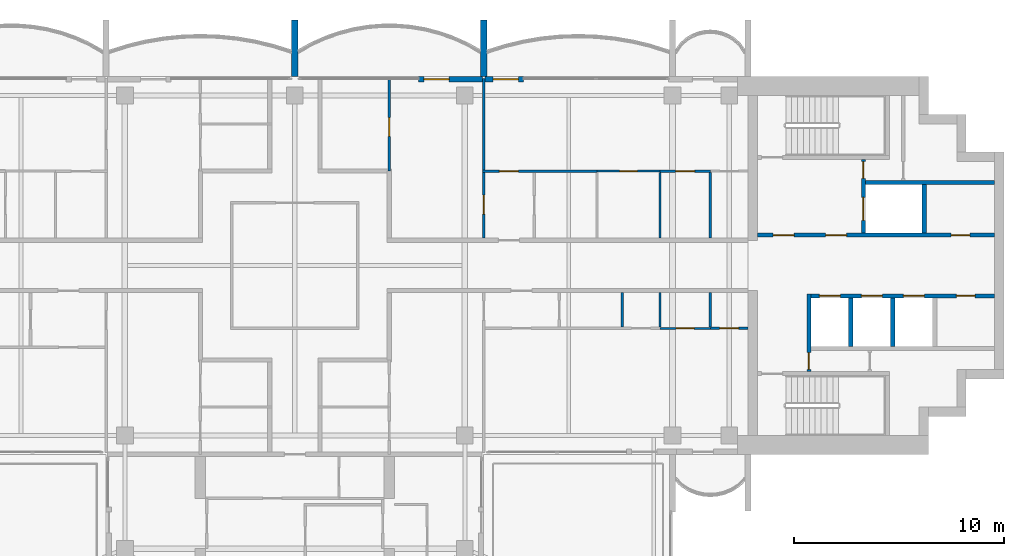
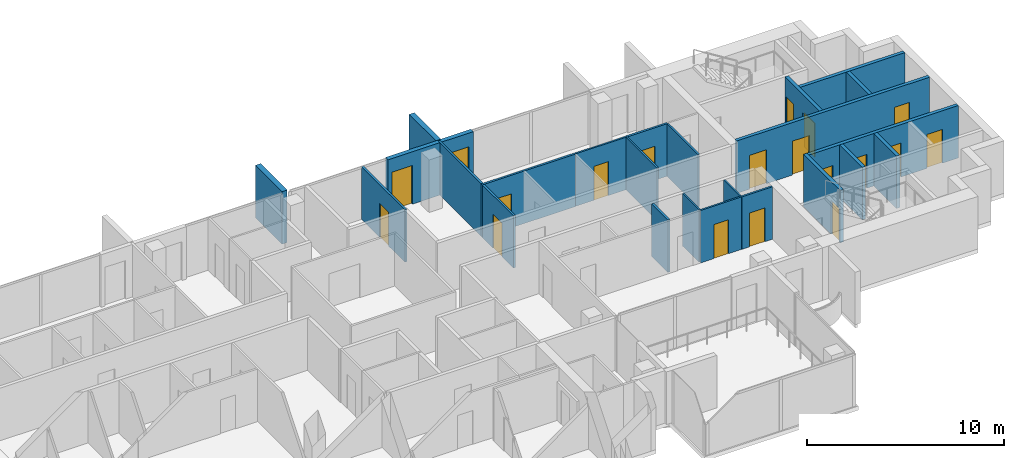
# One storey, part 11 of 16: 24 walls, 19 doors, 19 openings.
"""IFC4 building model written with IfcOpenShell, lengths in metres."""

import ifcopenshell
import ifcopenshell.guid

model = None  # the IFC model being written
_history = None  # IfcOwnerHistory: only IFC2X3 demands one
_inside = {}  # id of a spatial element -> (the spatial element, [elements in it])
_under = {}  # id of a project, library or spatial element -> (it, [spatial elements below it])
_declared = {}  # id of a project -> (the project, [libraries it declares])
_typed = {}  # id of a type object -> (the type object, [elements of that type])
_made_of = {}  # id of a material, layer set ... -> (it, [elements and type objects made of it])


def new_model(schema):
    """Start an empty IFC model of exactly this schema.

    Asked for "IFC4X3", IfcOpenShell would pick the latest addendum, in which some entities
    have other attributes; the version numbers below select the first issue.
    IFC2X3 requires an IfcOwnerHistory on every rooted entity: one is made here for all.
    """
    global model, _history
    if schema == "IFC4X3":
        model = ifcopenshell.file(schema_version=(4, 3, 0, 0))
    else:
        model = ifcopenshell.file(schema=schema)
    _inside.clear()
    _under.clear()
    _declared.clear()
    _typed.clear()
    _made_of.clear()
    _history = None
    if model.schema == "IFC2X3":
        org = make("IfcOrganization", Name="unknown")
        user = make(
            "IfcPersonAndOrganization",
            ThePerson=make("IfcPerson", FamilyName="unknown"),
            TheOrganization=org,
        )
        app = make(
            "IfcApplication",
            ApplicationDeveloper=org,
            Version="unknown",
            ApplicationFullName="unknown",
            ApplicationIdentifier="unknown",
        )
        _history = make(
            "IfcOwnerHistory",
            OwningUser=user,
            OwningApplication=app,
            ChangeAction="ADDED",
            CreationDate=0,
        )
    return model


def make(cls, **values):
    """One entity of the class cls with the attributes given. An attribute that is None is left unset."""
    return model.create_entity(
        cls, **{name: value for name, value in values.items() if value is not None}
    )


def rooted(cls, **values):
    """An entity with a GlobalId (a new one), such as an element, a storey or a relation."""
    return make(cls, GlobalId=ifcopenshell.guid.new(), OwnerHistory=_history, **values)


def si_unit(unit_type, name, prefix=None):
    """IfcSIUnit, for example si_unit("LENGTHUNIT", "METRE", prefix="MILLI")."""
    return make("IfcSIUnit", UnitType=unit_type, Prefix=prefix, Name=name)


def assignment(units):
    """IfcUnitAssignment: the units of a project."""
    return None if units is None else make("IfcUnitAssignment", Units=units)


def point(xyz):
    """IfcCartesianPoint."""
    return None if xyz is None else make("IfcCartesianPoint", Coordinates=xyz)


def direction(xyz):
    """IfcDirection."""
    return None if xyz is None else make("IfcDirection", DirectionRatios=xyz)


def frame(location, z_axis=None, x_axis=None):
    """IfcAxis2Placement3D, a coordinate frame: its origin and axes. An axis left out is left unset."""
    return make(
        "IfcAxis2Placement3D",
        Location=point(location),
        Axis=direction(z_axis),
        RefDirection=direction(x_axis),
    )


def frame_2d(location, x_axis=None):
    """IfcAxis2Placement2D, a coordinate frame in the plane: its origin and x axis."""
    return make(
        "IfcAxis2Placement2D", Location=point(location), RefDirection=direction(x_axis)
    )


def origin():
    """The frame at (0, 0, 0) with its axes left unset."""
    return frame((0.0, 0.0, 0.0))


def place(relative_to, where):
    """IfcLocalPlacement: puts the frame where relative to a parent placement (None: the world)."""
    return make(
        "IfcLocalPlacement", PlacementRelTo=relative_to, RelativePlacement=where
    )


def context(
    kind, dimensions, precision=None, world=None, true_north=None, identifier=None
):
    """IfcGeometricRepresentationContext, for example the 3D "Model" context."""
    return make(
        "IfcGeometricRepresentationContext",
        ContextIdentifier=identifier,
        ContextType=kind,
        CoordinateSpaceDimension=dimensions,
        Precision=precision,
        WorldCoordinateSystem=world,
        TrueNorth=true_north,
    )


def subcontext(parent, identifier, kind, view, scale=None):
    """IfcGeometricRepresentationSubContext, for example "Body" below "Model"."""
    return make(
        "IfcGeometricRepresentationSubContext",
        ContextIdentifier=identifier,
        ContextType=kind,
        ParentContext=parent,
        TargetScale=scale,
        TargetView=view,
    )


def project(units=None, contexts=None):
    """IfcProject with its units and contexts."""
    return rooted(
        "IfcProject",
        Name="project",
        RepresentationContexts=contexts,
        UnitsInContext=assignment(units),
    )


def spatial(cls, under=None, at=None, **own):
    """A site, building, storey or space (cls), placed at a placement, below another one or the project."""
    s = rooted(cls, ObjectPlacement=at, **own)
    if under is not None:
        _under.setdefault(under.id(), (under, []))[1].append(s)
    return s


def profile(cls, at=None, kind="AREA", **sizes):
    """A parametric profile (cls). Its sizes go by their IFC names, for example OverallWidth=200.0."""
    return make(cls, ProfileType=kind, Position=at, **sizes)


def rectangle(**sizes):
    """IfcRectangleProfileDef."""
    return profile("IfcRectangleProfileDef", **sizes)


def extrude(swept, where, along, depth):
    """IfcExtrudedAreaSolid: the profile swept, set in the frame where, extruded along a direction by depth."""
    return make(
        "IfcExtrudedAreaSolid",
        SweptArea=swept,
        Position=where,
        ExtrudedDirection=direction(along),
        Depth=depth,
    )


def shape(context_of_items, identifier, shape_type, items):
    """IfcShapeRepresentation: the items that make up one representation, for example the "Body"."""
    return make(
        "IfcShapeRepresentation",
        ContextOfItems=context_of_items,
        RepresentationIdentifier=identifier,
        RepresentationType=shape_type,
        Items=items,
    )


def material(Name=None, Category=None):
    """IfcMaterial."""
    return make("IfcMaterial", Name=Name, Category=Category)


def layer(
    of_material, thickness, ventilated=None, Name=None, Category=None, Priority=None
):
    """IfcMaterialLayer: one layer of a wall or slab, of a material (None: an air gap)."""
    return make(
        "IfcMaterialLayer",
        Material=of_material,
        LayerThickness=thickness,
        IsVentilated=ventilated,
        Name=Name,
        Category=Category,
        Priority=Priority,
    )


def layer_set(layers, Name=None):
    """IfcMaterialLayerSet."""
    return make("IfcMaterialLayerSet", MaterialLayers=layers, LayerSetName=Name)


def made_of(thing, what):
    """Note that an element or type object is made of a material, layer set ...; save() writes the relation."""
    if what is not None:
        _made_of.setdefault(what.id(), (what, []))[1].append(thing)
    return thing


def type_object(cls, material=None, **own):
    """A type object (cls), such as IfcWallType, which elements share."""
    return made_of(rooted(cls, **own), material)


def element(
    cls,
    number,
    at=None,
    inside=None,
    cuts=None,
    type_object=None,
    material=None,
    context=None,
    identifier="Body",
    shape_type=None,
    held_by="IfcProductDefinitionShape",
    body=None,
    shapes=None,
    **own,
):
    """One element of the class cls, such as IfcWall. Its Tag is "e" and its number.

    at: its placement. inside: the storey or other place that contains it. cuts: it is an
    opening in that element (IfcRelVoidsElement). A single representation is given by context,
    identifier, shape_type and body (its items); several are given by shapes. held_by: the class
    of the entity that holds the representations. save() writes the other relations.
    """
    e = rooted(cls, Tag="e%d" % number, ObjectPlacement=at, **own)
    if body is not None:
        shapes = [shape(context, identifier, shape_type, body)]
    if shapes is not None:
        e.Representation = make(held_by, Representations=shapes)
    if inside is not None:
        _inside.setdefault(inside.id(), (inside, []))[1].append(e)
    if cuts is not None:
        rooted(
            "IfcRelVoidsElement", RelatingBuildingElement=cuts, RelatedOpeningElement=e
        )
    if type_object is not None:
        _typed.setdefault(type_object.id(), (type_object, []))[1].append(e)
    return made_of(e, material)


def fill(opening, filler):
    """IfcRelFillsElement: the door or window that sits in an opening."""
    return rooted(
        "IfcRelFillsElement",
        RelatingOpeningElement=opening,
        RelatedBuildingElement=filler,
    )


def aggregate(whole, parts):
    """IfcRelAggregates: a whole, such as a stair, and the parts it consists of."""
    return rooted("IfcRelAggregates", RelatingObject=whole, RelatedObjects=parts)


def save(model, path):
    """Write the relations noted so far, then the file.

    IfcRelAggregates (storeys below a building ...), IfcRelContainedInSpatialStructure (elements
    in a storey), IfcRelDefinesByType, IfcRelAssociatesMaterial and IfcRelDeclares: one each for
    every whole, place, type object, material and project.
    """
    for whole, parts in _under.values():
        aggregate(whole, parts)
    for where, things in _inside.values():
        rooted(
            "IfcRelContainedInSpatialStructure",
            RelatedElements=things,
            RelatingStructure=where,
        )
    for kind, things in _typed.values():
        rooted("IfcRelDefinesByType", RelatedObjects=things, RelatingType=kind)
    for what, things in _made_of.values():
        rooted("IfcRelAssociatesMaterial", RelatedObjects=things, RelatingMaterial=what)
    for by, libraries in _declared.values():
        rooted("IfcRelDeclares", RelatingContext=by, RelatedDefinitions=libraries)
    model.write(path)


model = new_model("IFC4")

# Units and contexts
model_context = context("Model", 3, precision=1e-05, world=origin(), true_north=direction((0.0, 1.0)))
body_context = subcontext(model_context, "Body", "Model", "MODEL_VIEW")
ifc_project = project(units=[si_unit("LENGTHUNIT", "METRE"), si_unit("AREAUNIT", "SQUARE_METRE"), si_unit("VOLUMEUNIT", "CUBIC_METRE"), si_unit("PLANEANGLEUNIT", "RADIAN"), si_unit("MASSUNIT", "GRAM", prefix="KILO")], contexts=[model_context])

# Site, building, storey
site_placement = place(None, origin())
site = spatial("IfcSite", under=ifc_project, at=site_placement, CompositionType="ELEMENT")
building_placement = place(site_placement, origin())
building = spatial("IfcBuilding", under=site, at=building_placement, Name="Perihelion Cross Residences", CompositionType="ELEMENT")
storey_placement = place(building_placement, frame((0.0, 0.0, 236.0)))
storey = spatial("IfcBuildingStorey", under=building, at=storey_placement, Name="L59", CompositionType="ELEMENT", Elevation=236.0)

# Wall, opening, door
ifc_material_1 = material(Name="Concrete C30/37, bronze-clad", Category="concrete")
ifc_layer_1 = layer(ifc_material_1, 0.25)
ifc_layer_set_1 = layer_set([ifc_layer_1], Name="Bronze-clad pier wall 250")
wall_type_1 = type_object("IfcWallType", Name="Bronze-clad pier wall 250", PredefinedType="SOLIDWALL", material=ifc_layer_set_1)
wall_1_placement = place(storey_placement, frame((10.89990234375, 8.875, 0.0), z_axis=(0.0, 0.0, 1.0), x_axis=(-1.0, 0.0, 0.0)))
wall_1 = element("IfcWall", 1, at=wall_1_placement, inside=storey, type_object=wall_type_1, Name="Wall FW1 L59 east side north bay 2 pier", PredefinedType="SOLIDWALL", context=body_context, shape_type="SweptSolid", body=[
    extrude(rectangle(XDim=1.83984375, YDim=0.25, at=frame_2d((0.919921875, 0.0))), origin(), (0.0, 0.0, 1.0), 3.25),
])
opening_1_placement = place(wall_1_placement, frame((0.25, 0.0, 0.0)))
opening_1 = element("IfcOpeningElement", 2, at=opening_1_placement, cuts=wall_1, Name="Opening L59.E02", PredefinedType="OPENING", context=body_context, shape_type="SweptSolid", body=[
    extrude(rectangle(XDim=1.199951171875, YDim=2.39990234375, at=frame_2d((0.60009765625, 1.199951171875))), frame((0.0, 0.135009765625, 0.0), z_axis=(0.0, -1.0, 0.0), x_axis=(1.0, 0.0, 0.0)), (0.0, 0.0, 1.0), 0.27001953125),
])
ifc_material_2 = material(Name="Bronze anodised aluminium, glazed", Category="aluminium")
door_type_1 = type_object("IfcDoorType", Name="Balcony door 1200 x 2400", OperationType="NOTDEFINED", PredefinedType="DOOR", material=ifc_material_2)
door_1_placement = place(opening_1_placement, origin())
door_1 = element("IfcDoor", 3, at=door_1_placement, inside=storey, type_object=door_type_1, Name="Door L59.E02 east side north bay 2", OperationType="SINGLE_SWING_RIGHT", OverallHeight=2.39990234375, OverallWidth=1.199951171875, PredefinedType="DOOR", context=body_context, shape_type="SweptSolid", body=[
    extrude(rectangle(XDim=1.199951171875, YDim=2.39990234375, at=frame_2d((0.60009765625, 1.199951171875))), frame((0.0, 0.02490234375, 0.0), z_axis=(0.0, -1.0, 0.0), x_axis=(1.0, 0.0, 0.0)), (0.0, 0.0, 1.0), 0.050048828125),
])
fill(opening_1, door_1)

wall_2_placement = place(storey_placement, frame((8.93994140625, 8.875, 0.0), z_axis=(0.0, 0.0, 1.0), x_axis=(-1.0, 0.0, 0.0)))
wall_2 = element("IfcWall", 4, at=wall_2_placement, inside=storey, type_object=wall_type_1, Name="Wall FW1 L59 north side east bay 1 pier", PredefinedType="SOLIDWALL", context=body_context, shape_type="SweptSolid", body=[
    extrude(rectangle(XDim=3.0400390625, YDim=0.25, at=frame_2d((1.52001953125, 0.0))), origin(), (0.0, 0.0, 1.0), 3.25),
])
opening_2_placement = place(wall_2_placement, frame((1.590087890625, 0.0, 0.0)))
opening_2 = element("IfcOpeningElement", 5, at=opening_2_placement, cuts=wall_2, Name="Opening L59.E03", PredefinedType="OPENING", context=body_context, shape_type="SweptSolid", body=[
    extrude(rectangle(XDim=1.199951171875, YDim=2.39990234375, at=frame_2d((0.60009765625, 1.199951171875))), frame((0.0, 0.135009765625, 0.0), z_axis=(0.0, -1.0, 0.0), x_axis=(1.0, 0.0, 0.0)), (0.0, 0.0, 1.0), 0.27001953125),
])
door_2_placement = place(opening_2_placement, origin())
door_2 = element("IfcDoor", 6, at=door_2_placement, inside=storey, type_object=door_type_1, Name="Door L59.E03 north side east bay 1", OperationType="SINGLE_SWING_LEFT", OverallHeight=2.39990234375, OverallWidth=1.199951171875, PredefinedType="DOOR", context=body_context, shape_type="SweptSolid", body=[
    extrude(rectangle(XDim=1.199951171875, YDim=2.39990234375, at=frame_2d((0.60009765625, 1.199951171875))), frame((0.0, 0.02490234375, 0.0), z_axis=(0.0, -1.0, 0.0), x_axis=(1.0, 0.0, 0.0)), (0.0, 0.0, 1.0), 0.050048828125),
])
fill(opening_2, door_2)

ifc_material_3 = material(Name="Concrete C50/60", Category="concrete")
ifc_layer_2 = layer(ifc_material_3, 0.199951171875)
ifc_layer_set_2 = layer_set([ifc_layer_2], Name="Lobby wall 200")
wall_type_2 = type_object("IfcWallType", Name="Lobby wall 200", PredefinedType="SOLIDWALL", material=ifc_layer_set_2)
wall_3_placement = place(storey_placement, frame((24.5, -5.050048828125, 0.0), z_axis=(0.0, 0.0, 1.0), x_axis=(0.0, 1.0, 0.0)))
wall_3 = element("IfcWall", 7, at=wall_3_placement, inside=storey, type_object=wall_type_2, Name="East core lobby wall", PredefinedType="SOLIDWALL", context=body_context, shape_type="SweptSolid", body=[
    extrude(rectangle(XDim=3.699951171875, YDim=0.199951171875, at=frame_2d((1.85009765625, 0.0))), origin(), (0.0, 0.0, 1.0), 3.25),
])
opening_3_placement = place(wall_3_placement, frame((0.10009765625, 0.0, 0.0)))
opening_3 = element("IfcOpeningElement", 8, at=opening_3_placement, cuts=wall_3, Name="Opening L59.C08", PredefinedType="OPENING", context=body_context, shape_type="SweptSolid", body=[
    extrude(rectangle(XDim=0.800048828125, YDim=2.10009765625, at=frame_2d((0.39990234375, 1.050048828125))), frame((0.0, 0.10986328125, 0.0), z_axis=(0.0, -1.0, 0.0), x_axis=(1.0, 0.0, 0.0)), (0.0, 0.0, 1.0), 0.219970703125),
])
ifc_material_4 = material(Name="Steel, powder coated", Category="steel")
door_type_2 = type_object("IfcDoorType", Name="Riser door 800", OperationType="SINGLE_SWING_LEFT", PredefinedType="DOOR", material=ifc_material_4)
door_3_placement = place(opening_3_placement, origin())
door_3 = element("IfcDoor", 9, at=door_3_placement, inside=storey, type_object=door_type_2, Name="East core riser door", OperationType="SINGLE_SWING_LEFT", OverallHeight=2.10009765625, OverallWidth=0.800048828125, PredefinedType="DOOR", context=body_context, shape_type="SweptSolid", body=[
    extrude(rectangle(XDim=0.800048828125, YDim=2.10009765625, at=frame_2d((0.39990234375, 1.050048828125))), frame((0.0, 0.02490234375, 0.0), z_axis=(0.0, -1.0, 0.0), x_axis=(1.0, 0.0, 0.0)), (0.0, 0.0, 1.0), 0.050048828125),
])
fill(opening_3, door_3)

ifc_material_5 = material(Name="Plasterboard partition")
ifc_layer_3 = layer(ifc_material_5, 0.1201171875)
ifc_layer_set_3 = layer_set([ifc_layer_3], Name="Partition wall 120")
wall_type_3 = type_object("IfcWallType", Name="Partition wall 120", PredefinedType="PARTITIONING", material=ifc_layer_set_3)
wall_4_placement = place(storey_placement, frame((8.93994140625, 4.5, 0.0), z_axis=(0.0, 0.0, 1.0), x_axis=(1.0, 0.0, 0.0)))
wall_4 = element("IfcWall", 10, at=wall_4_placement, inside=storey, type_object=wall_type_3, Name="Partition L59 W023", PredefinedType="PARTITIONING", context=body_context, shape_type="SweptSolid", body=[
    extrude(rectangle(XDim=5.4599609375, YDim=0.1201171875, at=frame_2d((2.72998046875, 0.0))), origin(), (0.0, 0.0, 1.0), 3.25),
])
opening_4_placement = place(wall_4_placement, frame((0.81005859375, 0.0, 0.0)))
opening_4 = element("IfcOpeningElement", 11, at=opening_4_placement, cuts=wall_4, Name="Opening L59.A06", PredefinedType="OPENING", context=body_context, shape_type="SweptSolid", body=[
    extrude(rectangle(XDim=0.89990234375, YDim=2.10009765625, at=frame_2d((0.449951171875, 1.050048828125))), frame((0.0, 0.070068359375, 0.0), z_axis=(0.0, -1.0, 0.0), x_axis=(1.0, 0.0, 0.0)), (0.0, 0.0, 1.0), 0.14013671875),
])
ifc_material_6 = material(Name="Timber door leaf", Category="wood")
door_type_3 = type_object("IfcDoorType", Name="Interior room door 900 x 2100", OperationType="SINGLE_SWING_LEFT", PredefinedType="DOOR", material=ifc_material_6)
door_4_placement = place(opening_4_placement, origin())
door_4 = element("IfcDoor", 12, at=door_4_placement, inside=storey, type_object=door_type_3, Name="Door L59.A06", OperationType="SINGLE_SWING_RIGHT", OverallHeight=2.10009765625, OverallWidth=0.89990234375, PredefinedType="DOOR", context=body_context, shape_type="SweptSolid", body=[
    extrude(rectangle(XDim=0.89990234375, YDim=2.10009765625, at=frame_2d((0.449951171875, 1.050048828125))), frame((0.0, 0.02490234375, 0.0), z_axis=(0.0, -1.0, 0.0), x_axis=(1.0, 0.0, 0.0)), (0.0, 0.0, 1.0), 0.050048828125),
])
fill(opening_4, door_4)

wall_5_placement = place(storey_placement, frame((9.0, 1.300048828125, 0.0), z_axis=(0.0, 0.0, 1.0), x_axis=(0.0, 1.0, 0.0)))
wall_5 = element("IfcWall", 13, at=wall_5_placement, inside=storey, type_object=wall_type_3, Name="Partition L59 W024", PredefinedType="PARTITIONING", context=body_context, shape_type="SweptSolid", body=[
    extrude(rectangle(XDim=7.619873046875, YDim=0.1201171875, at=frame_2d((3.81005859375, 0.0))), origin(), (0.0, 0.0, 1.0), 3.25),
])
opening_5_placement = place(wall_5_placement, frame((1.14990234375, 0.0, 0.0)))
opening_5 = element("IfcOpeningElement", 14, at=opening_5_placement, cuts=wall_5, Name="Opening L59.A07", PredefinedType="OPENING", context=body_context, shape_type="SweptSolid", body=[
    extrude(rectangle(XDim=0.89990234375, YDim=2.10009765625, at=frame_2d((0.449951171875, 1.050048828125))), frame((0.0, 0.070068359375, 0.0), z_axis=(0.0, -1.0, 0.0), x_axis=(1.0, 0.0, 0.0)), (0.0, 0.0, 1.0), 0.14013671875),
])
door_5_placement = place(opening_5_placement, origin())
door_5 = element("IfcDoor", 15, at=door_5_placement, inside=storey, type_object=door_type_3, Name="Door L59.A07", OperationType="SINGLE_SWING_LEFT", OverallHeight=2.10009765625, OverallWidth=0.89990234375, PredefinedType="DOOR", context=body_context, shape_type="SweptSolid", body=[
    extrude(rectangle(XDim=0.89990234375, YDim=2.10009765625, at=frame_2d((0.449951171875, 1.050048828125))), frame((0.0, 0.02490234375, 0.0), z_axis=(0.0, -1.0, 0.0), x_axis=(1.0, 0.0, 0.0)), (0.0, 0.0, 1.0), 0.050048828125),
])
fill(opening_5, door_5)

wall_6_placement = place(storey_placement, frame((17.39990234375, 4.5, 0.0), z_axis=(0.0, 0.0, 1.0), x_axis=(1.0, 0.0, 0.0)))
wall_6 = element("IfcWall", 16, at=wall_6_placement, inside=storey, type_object=wall_type_3, Name="Partition L59 W029", PredefinedType="PARTITIONING", context=body_context, shape_type="SweptSolid", body=[
    extrude(rectangle(XDim=2.400146484375, YDim=0.1201171875, at=frame_2d((1.2001953125, 0.0))), origin(), (0.0, 0.0, 1.0), 3.25),
])
opening_6_placement = place(wall_6_placement, frame((0.75, 0.0, 0.0)))
opening_6 = element("IfcOpeningElement", 17, at=opening_6_placement, cuts=wall_6, Name="Opening L59.A08", PredefinedType="OPENING", context=body_context, shape_type="SweptSolid", body=[
    extrude(rectangle(XDim=0.89990234375, YDim=2.10009765625, at=frame_2d((0.449951171875, 1.050048828125))), frame((0.0, 0.070068359375, 0.0), z_axis=(0.0, -1.0, 0.0), x_axis=(1.0, 0.0, 0.0)), (0.0, 0.0, 1.0), 0.14013671875),
])
door_6_placement = place(opening_6_placement, origin())
door_6 = element("IfcDoor", 18, at=door_6_placement, inside=storey, type_object=door_type_3, Name="Door L59.A08", OperationType="SINGLE_SWING_LEFT", OverallHeight=2.10009765625, OverallWidth=0.89990234375, PredefinedType="DOOR", context=body_context, shape_type="SweptSolid", body=[
    extrude(rectangle(XDim=0.89990234375, YDim=2.10009765625, at=frame_2d((0.449951171875, 1.050048828125))), frame((0.0, 0.02490234375, 0.0), z_axis=(0.0, -1.0, 0.0), x_axis=(1.0, 0.0, 0.0)), (0.0, 0.0, 1.0), 0.050048828125),
])
fill(opening_6, door_6)

wall_7_placement = place(storey_placement, frame((4.5, 4.5, 0.0), z_axis=(0.0, 0.0, 1.0), x_axis=(0.0, 1.0, 0.0)))
wall_7 = element("IfcWall", 19, at=wall_7_placement, inside=storey, type_object=wall_type_3, Name="Partition L59 W031", PredefinedType="PARTITIONING", context=body_context, shape_type="SweptSolid", body=[
    extrude(rectangle(XDim=4.419921875, YDim=0.1201171875, at=frame_2d((2.2099609375, 0.0))), origin(), (0.0, 0.0, 1.0), 3.25),
])
opening_7_placement = place(wall_7_placement, frame((1.64990234375, 0.0, 0.0)))
opening_7 = element("IfcOpeningElement", 20, at=opening_7_placement, cuts=wall_7, Name="Opening L59.A03", PredefinedType="OPENING", context=body_context, shape_type="SweptSolid", body=[
    extrude(rectangle(XDim=0.89990234375, YDim=2.10009765625, at=frame_2d((0.449951171875, 1.050048828125))), frame((0.0, 0.070068359375, 0.0), z_axis=(0.0, -1.0, 0.0), x_axis=(1.0, 0.0, 0.0)), (0.0, 0.0, 1.0), 0.14013671875),
])
door_7_placement = place(opening_7_placement, origin())
door_7 = element("IfcDoor", 21, at=door_7_placement, inside=storey, type_object=door_type_3, Name="Door L59.A03", OperationType="SINGLE_SWING_LEFT", OverallHeight=2.10009765625, OverallWidth=0.89990234375, PredefinedType="DOOR", context=body_context, shape_type="SweptSolid", body=[
    extrude(rectangle(XDim=0.89990234375, YDim=2.10009765625, at=frame_2d((0.449951171875, 1.050048828125))), frame((0.0, 0.02490234375, 0.0), z_axis=(0.0, -1.0, 0.0), x_axis=(1.0, 0.0, 0.0)), (0.0, 0.0, 1.0), 0.050048828125),
])
fill(opening_7, door_7)

# Wall
wall_8_placement = place(storey_placement, frame((15.60009765625, -1.300048828125, 0.0), z_axis=(0.0, 0.0, 1.0), x_axis=(0.0, -1.0, 0.0)))
element("IfcWall", 22, at=wall_8_placement, inside=storey, type_object=wall_type_3, Name="Partition L59 W035", PredefinedType="PARTITIONING", context=body_context, shape_type="SweptSolid", body=[
    extrude(rectangle(XDim=1.639892578125, YDim=0.1201171875, at=frame_2d((0.81982421875, 0.0))), origin(), (0.0, 0.0, 1.0), 3.25),
])

# Wall, opening, door
wall_9_placement = place(storey_placement, frame((21.60009765625, -3.0, 0.0), z_axis=(0.0, 0.0, 1.0), x_axis=(-1.0, 0.0, 0.0)))
wall_9 = element("IfcWall", 23, at=wall_9_placement, inside=storey, type_object=wall_type_3, Name="Partition L59 W039", PredefinedType="PARTITIONING", context=body_context, shape_type="SweptSolid", body=[
    extrude(rectangle(XDim=1.800048828125, YDim=0.1201171875, at=frame_2d((0.89990234375, 0.0))), origin(), (0.0, 0.0, 1.0), 3.25),
])
opening_8_placement = place(wall_9_placement, frame((0.449951171875, 0.0, 0.0)))
opening_8 = element("IfcOpeningElement", 24, at=opening_8_placement, cuts=wall_9, Name="Opening L59.A10", PredefinedType="OPENING", context=body_context, shape_type="SweptSolid", body=[
    extrude(rectangle(XDim=0.89990234375, YDim=2.10009765625, at=frame_2d((0.449951171875, 1.050048828125))), frame((0.0, 0.070068359375, 0.0), z_axis=(0.0, -1.0, 0.0), x_axis=(1.0, 0.0, 0.0)), (0.0, 0.0, 1.0), 0.14013671875),
])
door_8_placement = place(opening_8_placement, origin())
door_8 = element("IfcDoor", 25, at=door_8_placement, inside=storey, type_object=door_type_3, Name="Door L59.A10", OperationType="SINGLE_SWING_LEFT", OverallHeight=2.10009765625, OverallWidth=0.89990234375, PredefinedType="DOOR", context=body_context, shape_type="SweptSolid", body=[
    extrude(rectangle(XDim=0.89990234375, YDim=2.10009765625, at=frame_2d((0.449951171875, 1.050048828125))), frame((0.0, 0.02490234375, 0.0), z_axis=(0.0, -1.0, 0.0), x_axis=(1.0, 0.0, 0.0)), (0.0, 0.0, 1.0), 0.050048828125),
])
fill(opening_8, door_8)

# Walls
ifc_material_7 = material(Name="Precast concrete C50/60", Category="concrete")
ifc_layer_4 = layer(ifc_material_7, 0.300048828125)
ifc_layer_set_4 = layer_set([ifc_layer_4], Name="Precast concrete C50/60 blade wall 300")
wall_type_4 = type_object("IfcWallType", Name="Precast concrete C50/60 blade wall 300", PredefinedType="SOLIDWALL", material=ifc_layer_set_4)
for number, where, z_axis, x_axis, name in (
    (26, (0.0, 9.0, 0.0), (0.0, 0.0, 1.0), (0.0, 1.0, 0.0), "Wall BL1 L59 no. 9"),
    (27, (9.0, 9.0, 0.0), (0.0, 0.0, 1.0), (0.0, 1.0, 0.0), "Wall BL1 L59 no. 16"),
):
    element("IfcWall", number, at=place(storey_placement, frame(where, z_axis=z_axis, x_axis=x_axis)), inside=storey, type_object=wall_type_4, Name=name, PredefinedType="SOLIDWALL", context=body_context, shape_type="SweptSolid", body=[
        extrude(rectangle(XDim=2.699951171875, YDim=0.300048828125, at=frame_2d((1.35009765625, 0.0))), origin(), (0.0, 0.0, 1.0), 3.25),
    ])

# Wall, openings, doors
ifc_material_8 = material(Name="Concrete C50/60", Category="concrete")
ifc_layer_5 = layer(ifc_material_8, 0.199951171875)
ifc_layer_set_5 = layer_set([ifc_layer_5], Name="Shaft wall 200")
wall_type_5 = type_object("IfcWallType", Name="Shaft wall 200", PredefinedType="SOLIDWALL", material=ifc_layer_set_5)
wall_10_placement = place(storey_placement, frame((22.050048828125, 1.449951171875, 0.0), z_axis=(0.0, 0.0, 1.0), x_axis=(1.0, 0.0, 0.0)))
wall_10 = element("IfcWall", 28, at=wall_10_placement, inside=storey, type_object=wall_type_5, Name="East core shaft wall", PredefinedType="SOLIDWALL", context=body_context, shape_type="SweptSolid", body=[
    extrude(rectangle(XDim=11.300048828125, YDim=0.199951171875, at=frame_2d((5.64990234375, 0.0))), origin(), (0.0, 0.0, 1.0), 3.25),
])
opening_9_placement = place(wall_10_placement, frame((0.75, 0.0, 0.0)))
opening_9 = element("IfcOpeningElement", 29, at=opening_9_placement, cuts=wall_10, Name="Opening L59.C07", PredefinedType="OPENING", context=body_context, shape_type="SweptSolid", body=[
    extrude(rectangle(XDim=1.0, YDim=2.10009765625, at=frame_2d((0.5, 1.050048828125))), frame((0.0, 0.10986328125, 0.0), z_axis=(0.0, -1.0, 0.0), x_axis=(1.0, 0.0, 0.0)), (0.0, 0.0, 1.0), 0.219970703125),
])
opening_10_placement = place(wall_10_placement, frame((3.25, 0.0, 0.0)))
opening_10 = element("IfcOpeningElement", 30, at=opening_10_placement, cuts=wall_10, Name="Opening L59.C09", PredefinedType="OPENING", context=body_context, shape_type="SweptSolid", body=[
    extrude(rectangle(XDim=1.0, YDim=2.10009765625, at=frame_2d((0.5, 1.050048828125))), frame((0.0, 0.10986328125, 0.0), z_axis=(0.0, -1.0, 0.0), x_axis=(1.0, 0.0, 0.0)), (0.0, 0.0, 1.0), 0.219970703125),
])
opening_11_placement = place(wall_10_placement, frame((9.22509765625, 0.0, 0.0)))
opening_11 = element("IfcOpeningElement", 31, at=opening_11_placement, cuts=wall_10, Name="Opening L59.C13", PredefinedType="OPENING", context=body_context, shape_type="SweptSolid", body=[
    extrude(rectangle(XDim=0.89990234375, YDim=2.10009765625, at=frame_2d((0.449951171875, 1.050048828125))), frame((0.0, 0.10986328125, 0.0), z_axis=(0.0, -1.0, 0.0), x_axis=(1.0, 0.0, 0.0)), (0.0, 0.0, 1.0), 0.219970703125),
])
ifc_material_9 = material(Name="Steel, powder coated", Category="steel")
door_type_4 = type_object("IfcDoorType", Name="Lobby door 1000", OperationType="SINGLE_SWING_LEFT", PredefinedType="DOOR", material=ifc_material_9)
door_9_placement = place(opening_9_placement, origin())
door_9 = element("IfcDoor", 32, at=door_9_placement, inside=storey, type_object=door_type_4, Name="East core firefighting lobby door", OperationType="SINGLE_SWING_LEFT", OverallHeight=2.10009765625, OverallWidth=1.0, PredefinedType="DOOR", context=body_context, shape_type="SweptSolid", body=[
    extrude(rectangle(XDim=1.0, YDim=2.10009765625, at=frame_2d((0.5, 1.050048828125))), frame((0.0, 0.02490234375, 0.0), z_axis=(0.0, -1.0, 0.0), x_axis=(1.0, 0.0, 0.0)), (0.0, 0.0, 1.0), 0.050048828125),
])
fill(opening_9, door_9)
door_10_placement = place(opening_10_placement, origin())
door_10 = element("IfcDoor", 33, at=door_10_placement, inside=storey, type_object=door_type_4, Name="East core firefighting lobby door", OperationType="SINGLE_SWING_LEFT", OverallHeight=2.10009765625, OverallWidth=1.0, PredefinedType="DOOR", context=body_context, shape_type="SweptSolid", body=[
    extrude(rectangle(XDim=1.0, YDim=2.10009765625, at=frame_2d((0.5, 1.050048828125))), frame((0.0, 0.02490234375, 0.0), z_axis=(0.0, -1.0, 0.0), x_axis=(1.0, 0.0, 0.0)), (0.0, 0.0, 1.0), 0.050048828125),
])
fill(opening_10, door_10)
ifc_material_10 = material(Name="Steel, powder coated", Category="steel")
door_type_5 = type_object("IfcDoorType", Name="Service room door 900", OperationType="SINGLE_SWING_LEFT", PredefinedType="DOOR", material=ifc_material_10)
door_11_placement = place(opening_11_placement, origin())
door_11 = element("IfcDoor", 34, at=door_11_placement, inside=storey, type_object=door_type_5, Name="East core service room door", OperationType="SINGLE_SWING_LEFT", OverallHeight=2.10009765625, OverallWidth=0.89990234375, PredefinedType="DOOR", context=body_context, shape_type="SweptSolid", body=[
    extrude(rectangle(XDim=0.89990234375, YDim=2.10009765625, at=frame_2d((0.449951171875, 1.050048828125))), frame((0.0, 0.02490234375, 0.0), z_axis=(0.0, -1.0, 0.0), x_axis=(1.0, 0.0, 0.0)), (0.0, 0.0, 1.0), 0.050048828125),
])
fill(opening_11, door_11)

wall_11_placement = place(storey_placement, frame((24.60009765625, -1.449951171875, 0.0), z_axis=(0.0, 0.0, 1.0), x_axis=(1.0, 0.0, 0.0)))
wall_11 = element("IfcWall", 35, at=wall_11_placement, inside=storey, type_object=wall_type_5, Name="East core shaft wall", PredefinedType="SOLIDWALL", context=body_context, shape_type="SweptSolid", body=[
    extrude(rectangle(XDim=8.75, YDim=0.199951171875, at=frame_2d((4.375, 0.0))), origin(), (0.0, 0.0, 1.0), 3.25),
])
opening_12_placement = place(wall_11_placement, frame((0.39990234375, 0.0, 0.0)))
opening_12 = element("IfcOpeningElement", 36, at=opening_12_placement, cuts=wall_11, Name="Opening L59.C01", PredefinedType="OPENING", context=body_context, shape_type="SweptSolid", body=[
    extrude(rectangle(XDim=1.0, YDim=2.10009765625, at=frame_2d((0.5, 1.050048828125))), frame((0.0, 0.10986328125, 0.0), z_axis=(0.0, -1.0, 0.0), x_axis=(1.0, 0.0, 0.0)), (0.0, 0.0, 1.0), 0.219970703125),
])
opening_13_placement = place(wall_11_placement, frame((2.39990234375, 0.0, 0.0)))
opening_13 = element("IfcOpeningElement", 37, at=opening_13_placement, cuts=wall_11, Name="Opening L59.C03", PredefinedType="OPENING", context=body_context, shape_type="SweptSolid", body=[
    extrude(rectangle(XDim=1.0, YDim=2.10009765625, at=frame_2d((0.5, 1.050048828125))), frame((0.0, 0.10986328125, 0.0), z_axis=(0.0, -1.0, 0.0), x_axis=(1.0, 0.0, 0.0)), (0.0, 0.0, 1.0), 0.219970703125),
])
opening_14_placement = place(wall_11_placement, frame((4.39990234375, 0.0, 0.0)))
opening_14 = element("IfcOpeningElement", 38, at=opening_14_placement, cuts=wall_11, Name="Opening L59.C04", PredefinedType="OPENING", context=body_context, shape_type="SweptSolid", body=[
    extrude(rectangle(XDim=1.0, YDim=2.10009765625, at=frame_2d((0.5, 1.050048828125))), frame((0.0, 0.10986328125, 0.0), z_axis=(0.0, -1.0, 0.0), x_axis=(1.0, 0.0, 0.0)), (0.0, 0.0, 1.0), 0.219970703125),
])
opening_15_placement = place(wall_11_placement, frame((6.925048828125, 0.0, 0.0)))
opening_15 = element("IfcOpeningElement", 39, at=opening_15_placement, cuts=wall_11, Name="Opening L59.C14", PredefinedType="OPENING", context=body_context, shape_type="SweptSolid", body=[
    extrude(rectangle(XDim=0.89990234375, YDim=2.10009765625, at=frame_2d((0.449951171875, 1.050048828125))), frame((0.0, 0.10986328125, 0.0), z_axis=(0.0, -1.0, 0.0), x_axis=(1.0, 0.0, 0.0)), (0.0, 0.0, 1.0), 0.219970703125),
])
ifc_material_11 = material(Name="Stainless steel", Category="steel")
door_type_6 = type_object("IfcDoorType", Name="Landing door 1000", OperationType="DOUBLE_DOOR_SLIDING", PredefinedType="DOOR", material=ifc_material_11)
door_12_placement = place(opening_12_placement, origin())
door_12 = element("IfcDoor", 40, at=door_12_placement, inside=storey, type_object=door_type_6, Name="Landing door, East core high-rise lift 1", OperationType="DOUBLE_DOOR_SLIDING", OverallHeight=2.10009765625, OverallWidth=1.0, PredefinedType="DOOR", context=body_context, shape_type="SweptSolid", body=[
    extrude(rectangle(XDim=1.0, YDim=2.10009765625, at=frame_2d((0.5, 1.050048828125))), frame((0.0, 0.02490234375, 0.0), z_axis=(0.0, -1.0, 0.0), x_axis=(1.0, 0.0, 0.0)), (0.0, 0.0, 1.0), 0.050048828125),
])
fill(opening_12, door_12)
door_13_placement = place(opening_13_placement, origin())
door_13 = element("IfcDoor", 41, at=door_13_placement, inside=storey, type_object=door_type_6, Name="Landing door, East core high-rise lift 2", OperationType="DOUBLE_DOOR_SLIDING", OverallHeight=2.10009765625, OverallWidth=1.0, PredefinedType="DOOR", context=body_context, shape_type="SweptSolid", body=[
    extrude(rectangle(XDim=1.0, YDim=2.10009765625, at=frame_2d((0.5, 1.050048828125))), frame((0.0, 0.02490234375, 0.0), z_axis=(0.0, -1.0, 0.0), x_axis=(1.0, 0.0, 0.0)), (0.0, 0.0, 1.0), 0.050048828125),
])
fill(opening_13, door_13)
door_14_placement = place(opening_14_placement, origin())
door_14 = element("IfcDoor", 42, at=door_14_placement, inside=storey, type_object=door_type_6, Name="Landing door, East core high-rise lift 3", OperationType="DOUBLE_DOOR_SLIDING", OverallHeight=2.10009765625, OverallWidth=1.0, PredefinedType="DOOR", context=body_context, shape_type="SweptSolid", body=[
    extrude(rectangle(XDim=1.0, YDim=2.10009765625, at=frame_2d((0.5, 1.050048828125))), frame((0.0, 0.02490234375, 0.0), z_axis=(0.0, -1.0, 0.0), x_axis=(1.0, 0.0, 0.0)), (0.0, 0.0, 1.0), 0.050048828125),
])
fill(opening_14, door_14)
door_15_placement = place(opening_15_placement, origin())
door_15 = element("IfcDoor", 43, at=door_15_placement, inside=storey, type_object=door_type_5, Name="East core service room door", OperationType="SINGLE_SWING_LEFT", OverallHeight=2.10009765625, OverallWidth=0.89990234375, PredefinedType="DOOR", context=body_context, shape_type="SweptSolid", body=[
    extrude(rectangle(XDim=0.89990234375, YDim=2.10009765625, at=frame_2d((0.449951171875, 1.050048828125))), frame((0.0, 0.02490234375, 0.0), z_axis=(0.0, -1.0, 0.0), x_axis=(1.0, 0.0, 0.0)), (0.0, 0.0, 1.0), 0.050048828125),
])
fill(opening_15, door_15)

# Wall
wall_12_placement = place(storey_placement, frame((27.199951171875, 3.949951171875, 0.0), z_axis=(0.0, 0.0, 1.0), x_axis=(1.0, 0.0, 0.0)))
element("IfcWall", 44, at=wall_12_placement, inside=storey, type_object=wall_type_5, Name="East core shaft wall", PredefinedType="SOLIDWALL", context=body_context, shape_type="SweptSolid", body=[
    extrude(rectangle(XDim=6.150146484375, YDim=0.199951171875, at=frame_2d((3.0751953125, 0.0))), origin(), (0.0, 0.0, 1.0), 3.25),
])

# Wall, openings, doors
wall_13_placement = place(storey_placement, frame((27.10009765625, 1.550048828125, 0.0), z_axis=(0.0, 0.0, 1.0), x_axis=(0.0, 1.0, 0.0)))
wall_13 = element("IfcWall", 45, at=wall_13_placement, inside=storey, type_object=wall_type_5, Name="East core shaft wall", PredefinedType="SOLIDWALL", context=body_context, shape_type="SweptSolid", body=[
    extrude(rectangle(XDim=3.5, YDim=0.199951171875, at=frame_2d((1.75, 0.0))), origin(), (0.0, 0.0, 1.0), 3.25),
])
opening_16_placement = place(wall_13_placement, frame((0.60009765625, 0.0, 0.0)))
opening_16 = element("IfcOpeningElement", 46, at=opening_16_placement, cuts=wall_13, Name="Opening L59.C02", PredefinedType="OPENING", context=body_context, shape_type="SweptSolid", body=[
    extrude(rectangle(XDim=1.10009765625, YDim=2.10009765625, at=frame_2d((0.550048828125, 1.050048828125))), frame((0.0, 0.10986328125, 0.0), z_axis=(0.0, -1.0, 0.0), x_axis=(1.0, 0.0, 0.0)), (0.0, 0.0, 1.0), 0.219970703125),
])
opening_17_placement = place(wall_13_placement, frame((2.60009765625, 0.0, 0.0)))
opening_17 = element("IfcOpeningElement", 47, at=opening_17_placement, cuts=wall_13, Name="Opening L59.C10", PredefinedType="OPENING", context=body_context, shape_type="SweptSolid", body=[
    extrude(rectangle(XDim=0.800048828125, YDim=2.10009765625, at=frame_2d((0.39990234375, 1.050048828125))), frame((0.0, 0.10986328125, 0.0), z_axis=(0.0, -1.0, 0.0), x_axis=(1.0, 0.0, 0.0)), (0.0, 0.0, 1.0), 0.219970703125),
])
ifc_material_12 = material(Name="Stainless steel", Category="steel")
door_type_7 = type_object("IfcDoorType", Name="Landing door, firefighting lift 1100", OperationType="DOUBLE_DOOR_SLIDING", PredefinedType="DOOR", material=ifc_material_12)
door_16_placement = place(opening_16_placement, origin())
door_16 = element("IfcDoor", 48, at=door_16_placement, inside=storey, type_object=door_type_7, Name="Landing door, East core firefighting and service lift", OperationType="DOUBLE_DOOR_SLIDING", OverallHeight=2.10009765625, OverallWidth=1.10009765625, PredefinedType="DOOR", context=body_context, shape_type="SweptSolid", body=[
    extrude(rectangle(XDim=1.10009765625, YDim=2.10009765625, at=frame_2d((0.550048828125, 1.050048828125))), frame((0.0, 0.02490234375, 0.0), z_axis=(0.0, -1.0, 0.0), x_axis=(1.0, 0.0, 0.0)), (0.0, 0.0, 1.0), 0.050048828125),
])
fill(opening_16, door_16)
door_17_placement = place(opening_17_placement, origin())
door_17 = element("IfcDoor", 49, at=door_17_placement, inside=storey, type_object=door_type_2, Name="East core riser door", OperationType="SINGLE_SWING_LEFT", OverallHeight=2.10009765625, OverallWidth=0.800048828125, PredefinedType="DOOR", context=body_context, shape_type="SweptSolid", body=[
    extrude(rectangle(XDim=0.800048828125, YDim=2.10009765625, at=frame_2d((0.39990234375, 1.050048828125))), frame((0.0, 0.02490234375, 0.0), z_axis=(0.0, -1.0, 0.0), x_axis=(1.0, 0.0, 0.0)), (0.0, 0.0, 1.0), 0.050048828125),
])
fill(opening_17, door_17)

# Walls
for number, where, z_axis, x_axis, name in (
    (50, (30.0, 1.550048828125, 0.0), (0.0, 0.0, 1.0), (0.0, 1.0, 0.0), "East core shaft wall"),
    (51, (26.5, -3.85009765625, 0.0), (0.0, 0.0, 1.0), (0.0, 1.0, 0.0), "East core shaft wall"),
    (52, (28.5, -3.85009765625, 0.0), (0.0, 0.0, 1.0), (0.0, 1.0, 0.0), "East core shaft wall"),
):
    element("IfcWall", number, at=place(storey_placement, frame(where, z_axis=z_axis, x_axis=x_axis)), inside=storey, type_object=wall_type_5, Name=name, PredefinedType="SOLIDWALL", context=body_context, shape_type="SweptSolid", body=[
        extrude(rectangle(XDim=2.300048828125, YDim=0.199951171875, at=frame_2d((1.14990234375, 0.0))), origin(), (0.0, 0.0, 1.0), 3.25),
    ])
ifc_material_13 = material(Name="Plasterboard partition")
ifc_layer_6 = layer(ifc_material_13, 0.10009765625)
ifc_layer_set_6 = layer_set([ifc_layer_6], Name="Wet room wall 100")
wall_type_6 = type_object("IfcWallType", Name="Wet room wall 100", PredefinedType="PARTITIONING", material=ifc_layer_set_6)
wall_14_placement = place(storey_placement, frame((17.39990234375, 4.43994140625, 0.0), z_axis=(0.0, 0.0, 1.0), x_axis=(0.0, -1.0, 0.0)))
element("IfcWall", 53, at=wall_14_placement, inside=storey, type_object=wall_type_6, Name="Partition L59 W026", PredefinedType="PARTITIONING", context=body_context, shape_type="SweptSolid", body=[
    extrude(rectangle(XDim=3.139892578125, YDim=0.10009765625, at=frame_2d((1.56982421875, 0.0))), origin(), (0.0, 0.0, 1.0), 3.25),
])

# Wall, opening, door
wall_15_placement = place(storey_placement, frame((14.39990234375, 4.5, 0.0), z_axis=(0.0, 0.0, 1.0), x_axis=(1.0, 0.0, 0.0)))
wall_15 = element("IfcWall", 54, at=wall_15_placement, inside=storey, type_object=wall_type_6, Name="Partition L59 W027", PredefinedType="PARTITIONING", context=body_context, shape_type="SweptSolid", body=[
    extrude(rectangle(XDim=3.0, YDim=0.10009765625, at=frame_2d((1.5, 0.0))), origin(), (0.0, 0.0, 1.0), 3.25),
])
opening_18_placement = place(wall_15_placement, frame((1.074951171875, 0.0, 0.0)))
opening_18 = element("IfcOpeningElement", 55, at=opening_18_placement, cuts=wall_15, Name="Opening L59.A02", PredefinedType="OPENING", context=body_context, shape_type="SweptSolid", body=[
    extrude(rectangle(XDim=0.85009765625, YDim=2.10009765625, at=frame_2d((0.425048828125, 1.050048828125))), frame((0.0, 0.06005859375, 0.0), z_axis=(0.0, -1.0, 0.0), x_axis=(1.0, 0.0, 0.0)), (0.0, 0.0, 1.0), 0.1201171875),
])
ifc_material_14 = material(Name="Timber door leaf", Category="wood")
door_type_8 = type_object("IfcDoorType", Name="Interior bathroom door 850 x 2100", OperationType="SINGLE_SWING_LEFT", PredefinedType="DOOR", material=ifc_material_14)
door_18_placement = place(opening_18_placement, origin())
door_18 = element("IfcDoor", 56, at=door_18_placement, inside=storey, type_object=door_type_8, Name="Door L59.A02", OperationType="SINGLE_SWING_LEFT", OverallHeight=2.10009765625, OverallWidth=0.85009765625, PredefinedType="DOOR", context=body_context, shape_type="SweptSolid", body=[
    extrude(rectangle(XDim=0.85009765625, YDim=2.10009765625, at=frame_2d((0.425048828125, 1.050048828125))), frame((0.0, 0.02490234375, 0.0), z_axis=(0.0, -1.0, 0.0), x_axis=(1.0, 0.0, 0.0)), (0.0, 0.0, 1.0), 0.050048828125),
])
fill(opening_18, door_18)

# Walls
wall_16_placement = place(storey_placement, frame((19.800048828125, 4.43994140625, 0.0), z_axis=(0.0, 0.0, 1.0), x_axis=(0.0, -1.0, 0.0)))
element("IfcWall", 57, at=wall_16_placement, inside=storey, type_object=wall_type_6, Name="Partition L59 W028", PredefinedType="PARTITIONING", context=body_context, shape_type="SweptSolid", body=[
    extrude(rectangle(XDim=3.139892578125, YDim=0.10009765625, at=frame_2d((1.56982421875, 0.0))), origin(), (0.0, 0.0, 1.0), 3.25),
])
for number, where, z_axis, x_axis, name in (
    (58, (17.39990234375, -1.300048828125, 0.0), (0.0, 0.0, 1.0), (0.0, -1.0, 0.0), "Partition L59 W036"),
    (59, (19.800048828125, -1.300048828125, 0.0), (0.0, 0.0, 1.0), (0.0, -1.0, 0.0), "Partition L59 W037"),
):
    element("IfcWall", number, at=place(storey_placement, frame(where, z_axis=z_axis, x_axis=x_axis)), inside=storey, type_object=wall_type_6, Name=name, PredefinedType="PARTITIONING", context=body_context, shape_type="SweptSolid", body=[
        extrude(rectangle(XDim=1.639892578125, YDim=0.10009765625, at=frame_2d((0.81982421875, 0.0))), origin(), (0.0, 0.0, 1.0), 3.25),
    ])

# Wall, opening, door
wall_17_placement = place(storey_placement, frame((19.800048828125, -3.0, 0.0), z_axis=(0.0, 0.0, 1.0), x_axis=(-1.0, 0.0, 0.0)))
wall_17 = element("IfcWall", 60, at=wall_17_placement, inside=storey, type_object=wall_type_6, Name="Partition L59 W038", PredefinedType="PARTITIONING", context=body_context, shape_type="SweptSolid", body=[
    extrude(rectangle(XDim=2.400146484375, YDim=0.10009765625, at=frame_2d((1.2001953125, 0.0))), origin(), (0.0, 0.0, 1.0), 3.25),
])
opening_19_placement = place(wall_17_placement, frame((0.77490234375, 0.0, 0.0)))
opening_19 = element("IfcOpeningElement", 61, at=opening_19_placement, cuts=wall_17, Name="Opening L59.A09", PredefinedType="OPENING", context=body_context, shape_type="SweptSolid", body=[
    extrude(rectangle(XDim=0.85009765625, YDim=2.10009765625, at=frame_2d((0.425048828125, 1.050048828125))), frame((0.0, 0.06005859375, 0.0), z_axis=(0.0, -1.0, 0.0), x_axis=(1.0, 0.0, 0.0)), (0.0, 0.0, 1.0), 0.1201171875),
])
door_19_placement = place(opening_19_placement, origin())
door_19 = element("IfcDoor", 62, at=door_19_placement, inside=storey, type_object=door_type_8, Name="Door L59.A09", OperationType="SINGLE_SWING_RIGHT", OverallHeight=2.10009765625, OverallWidth=0.85009765625, PredefinedType="DOOR", context=body_context, shape_type="SweptSolid", body=[
    extrude(rectangle(XDim=0.85009765625, YDim=2.10009765625, at=frame_2d((0.425048828125, 1.050048828125))), frame((0.0, 0.02490234375, 0.0), z_axis=(0.0, -1.0, 0.0), x_axis=(1.0, 0.0, 0.0)), (0.0, 0.0, 1.0), 0.050048828125),
])
fill(opening_19, door_19)

save(model, "model.ifc")
